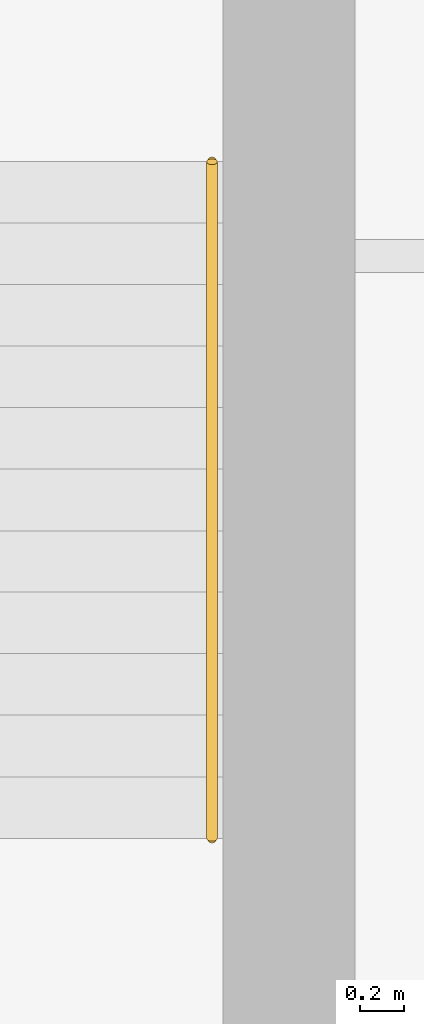
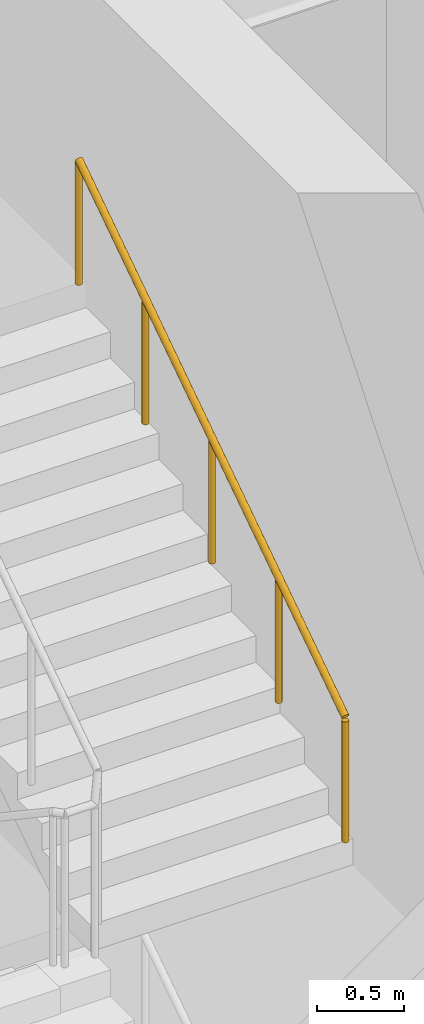
# One storey, part 15 of 16: 1 railing.
"""IFC4 building model written with IfcOpenShell, lengths in metres."""

from ifc_helpers import new_model, si_unit, direction, frame, origin, origin_2d, place, context, subcontext, project, spatial, circle, extrude, material, type_object, element, save


model = new_model("IFC4")

# Units and contexts
model_context = context("Model", 3, precision=1e-05, world=origin(), true_north=direction((0.0, 1.0)))
body_context = subcontext(model_context, "Body", "Model", "MODEL_VIEW")
ifc_project = project(units=[si_unit("LENGTHUNIT", "METRE"), si_unit("AREAUNIT", "SQUARE_METRE"), si_unit("VOLUMEUNIT", "CUBIC_METRE"), si_unit("PLANEANGLEUNIT", "RADIAN"), si_unit("MASSUNIT", "GRAM", prefix="KILO")], contexts=[model_context])

# Site, building, storey
site_placement = place(None, origin())
site = spatial("IfcSite", under=ifc_project, at=site_placement, CompositionType="ELEMENT")
building_placement = place(site_placement, origin())
building = spatial("IfcBuilding", under=site, at=building_placement, Name="Verdant Reach Tower", CompositionType="ELEMENT")
storey_placement = place(building_placement, frame((0.0, 0.0, 340.5)))
storey = spatial("IfcBuildingStorey", under=building, at=storey_placement, Name="L78 Damper", CompositionType="ELEMENT", Elevation=340.5)

# Railing
ifc_material = material(Name="Stainless steel", Category="steel")
railing_type = type_object("IfcRailingType", Name="CO-HANDRAIL", PredefinedType="HANDRAIL", material=ifc_material)
railing_placement = place(storey_placement, frame((12.550048828125, 25.85009765625, 4.6875)))
element("IfcRailing", 1, at=railing_placement, inside=storey, type_object=railing_type, Name="L78 Damper ST-2 stair handrail 3", PredefinedType="HANDRAIL", context=body_context, shape_type="SweptSolid", body=[
    extrude(circle(Radius=0.02392578125, at=origin_2d()), frame((0.0, 0.0, 0.8759765625), z_axis=(0.0, 0.830893310487, 0.556431762742), x_axis=(-1.0, 0.0, 0.0)), (0.0, 0.0, 1.0), 3.70654296875),
    extrude(circle(Radius=0.02099609375, at=origin_2d()), origin(), (0.0, 0.0, 1.0), 0.851806640625),
    extrude(circle(Radius=0.02099609375, at=origin_2d()), frame((0.0, 0.77001953125, 0.515625)), (0.0, 0.0, 1.0), 0.851806640625),
    extrude(circle(Radius=0.02099609375, at=origin_2d()), frame((0.0, 1.5400390625, 1.03125)), (0.0, 0.0, 1.0), 0.851806640625),
    extrude(circle(Radius=0.02099609375, at=origin_2d()), frame((0.0, 2.309814453125, 1.546875)), (0.0, 0.0, 1.0), 0.851806640625),
    extrude(circle(Radius=0.02099609375, at=origin_2d()), frame((0.0, 3.079833984375, 2.0625)), (0.0, 0.0, 1.0), 0.851806640625),
])

save(model, "model.ifc")
